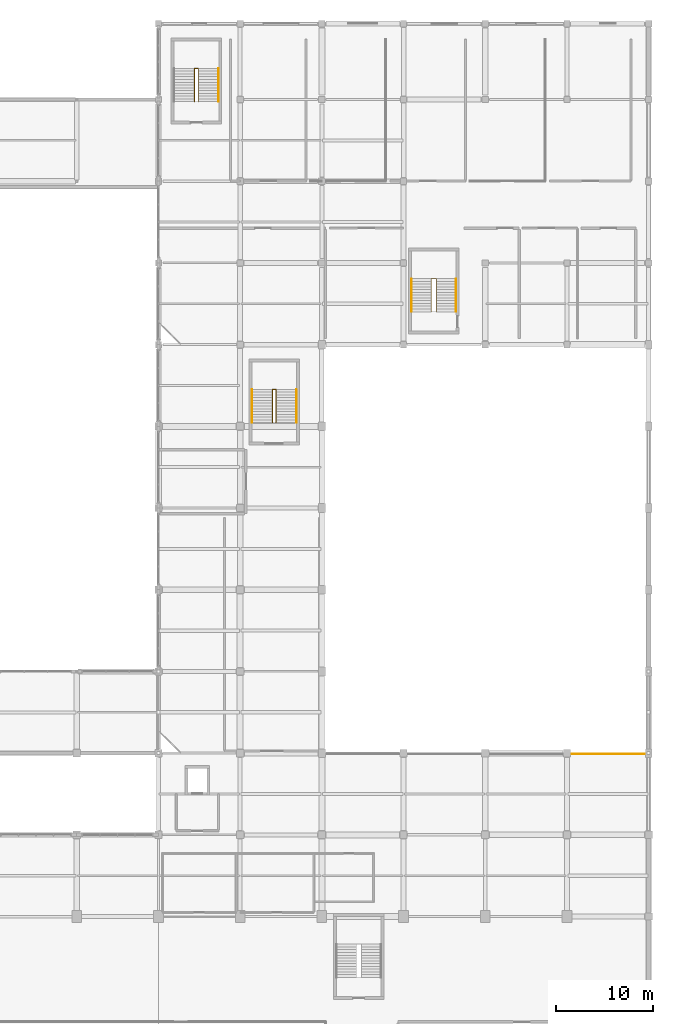
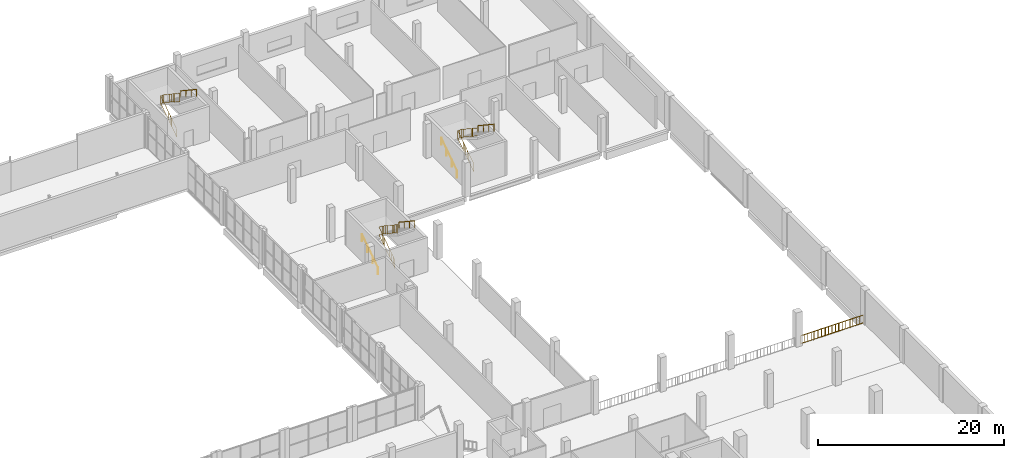
# One storey, part 75 of 75: 9 railings.
"""IFC4 building model written with IfcOpenShell, lengths in metres."""

from ifc_helpers import new_model, si_unit, derived_unit, direction, frame, origin, origin_2d, place, context, subcontext, project, spatial, circle, extrude, material, layer, layer_set, type_object, element, save


model = new_model("IFC4")

# Units and contexts
model_context = context("Model", 3, precision=1e-05, world=origin(), true_north=direction((0.0, 1.0)))
body_context = subcontext(model_context, "Body", "Model", "MODEL_VIEW")
ifc_project = project(units=[si_unit("LENGTHUNIT", "METRE"), si_unit("AREAUNIT", "SQUARE_METRE"), si_unit("VOLUMEUNIT", "CUBIC_METRE"), si_unit("PLANEANGLEUNIT", "RADIAN"), si_unit("MASSUNIT", "GRAM", prefix="KILO"), derived_unit("THERMALTRANSMITTANCEUNIT", [(si_unit("POWERUNIT", "WATT"), 1), (si_unit("LENGTHUNIT", "METRE"), -2), (si_unit("THERMODYNAMICTEMPERATUREUNIT", "KELVIN"), -1)])], contexts=[model_context])

# Site, building, storey
site_placement = place(None, origin())
site = spatial("IfcSite", under=ifc_project, at=site_placement, CompositionType="ELEMENT")
building_placement = place(site_placement, origin())
building = spatial("IfcBuilding", under=site, at=building_placement, Name="Barrovel Congress Hotel", CompositionType="ELEMENT")
storey_placement = place(building_placement, frame((0.0, 0.0, 5.39990234375)))
storey = spatial("IfcBuildingStorey", under=building, at=storey_placement, Name="L01", CompositionType="ELEMENT", Elevation=5.39990234375)

# Railings
ifc_material_1 = material(Name="Painted Architectural Steel", Category="steel")
ifc_layer_1 = layer(ifc_material_1, 0.070068359375)
ifc_layer_set_1 = layer_set([ifc_layer_1], Name="Painted Architectural Steel")
railing_type_1 = type_object("IfcRailingType", Name="RAIL-GUARD-INT", PredefinedType="BALUSTRADE", material=ifc_layer_set_1)
railing_1_placement = place(storey_placement, frame((154.06005859375, 83.179931640625, 0.0)))
element("IfcRailing", 1, at=railing_1_placement, inside=storey, type_object=railing_type_1, Name="STAIR:XS-06:L01:GR-W", PredefinedType="BALUSTRADE", context=body_context, shape_type="SweptSolid", body=[
    extrude(circle(Radius=0.02392578125, at=origin_2d()), frame((0.0, 0.0, 1.11572265625), z_axis=(0.0, 0.833193183746, 0.552982023722), x_axis=(-1.0, 0.0, 0.0)), (0.0, 0.0, 1.0), 4.06884765625),
    extrude(circle(Radius=0.02392578125, at=origin_2d()), frame((0.0, 0.0, 0.10009765625), z_axis=(0.0, 0.833193183746, 0.552982023722), x_axis=(-1.0, 0.0, 0.0)), (0.0, 0.0, 1.0), 4.06884765625),
    extrude(circle(Radius=0.010009765625, at=origin_2d()), frame((0.0, 0.339111328125, 0.324951171875)), (0.0, 0.0, 1.0), 0.99169921875),
    extrude(circle(Radius=0.010009765625, at=origin_2d()), frame((0.0, 0.677978515625, 0.550048828125)), (0.0, 0.0, 1.0), 0.99169921875),
    extrude(circle(Radius=0.010009765625, at=origin_2d()), frame((0.0, 1.01708984375, 0.77490234375)), (0.0, 0.0, 1.0), 0.99169921875),
    extrude(circle(Radius=0.010009765625, at=origin_2d()), frame((0.0, 1.35595703125, 1.0)), (0.0, 0.0, 1.0), 0.99169921875),
    extrude(circle(Radius=0.010009765625, at=origin_2d()), frame((0.0, 1.695068359375, 1.22509765625)), (0.0, 0.0, 1.0), 0.99169921875),
    extrude(circle(Radius=0.010009765625, at=origin_2d()), frame((0.0, 2.0341796875, 1.449951171875)), (0.0, 0.0, 1.0), 0.99169921875),
    extrude(circle(Radius=0.010009765625, at=origin_2d()), frame((0.0, 2.373046875, 1.675048828125)), (0.0, 0.0, 1.0), 0.99169921875),
    extrude(circle(Radius=0.010009765625, at=origin_2d()), frame((0.0, 2.712158203125, 1.89990234375)), (0.0, 0.0, 1.0), 0.99169921875),
    extrude(circle(Radius=0.010009765625, at=origin_2d()), frame((0.0, 3.051025390625, 2.125)), (0.0, 0.0, 1.0), 0.99169921875),
    extrude(circle(Radius=0.02392578125, at=origin_2d()), frame((0.0, 3.39013671875, 3.36572265625), z_axis=(1.0, 0.0, 0.0), x_axis=(0.0, 1.0, 0.0)), (0.0, 0.0, 1.0), 0.47998046875),
    extrude(circle(Radius=0.02392578125, at=origin_2d()), frame((0.0, 3.39013671875, 2.35009765625), z_axis=(1.0, 0.0, 0.0), x_axis=(0.0, 1.0, 0.0)), (0.0, 0.0, 1.0), 0.47998046875),
    extrude(circle(Radius=0.010009765625, at=origin_2d()), frame((0.239990234375, 3.39013671875, 2.35009765625)), (0.0, 0.0, 1.0), 0.99169921875),
    extrude(circle(Radius=0.02392578125, at=origin_2d()), frame((0.47998046875, 3.39013671875, 3.36572265625), z_axis=(0.0, -0.833193183746, 0.552982023722), x_axis=(1.0, 0.0, 0.0)), (0.0, 0.0, 1.0), 4.06884765625),
    extrude(circle(Radius=0.02392578125, at=origin_2d()), frame((0.47998046875, 3.39013671875, 2.35009765625), z_axis=(0.0, -0.833193183746, 0.552982023722), x_axis=(1.0, 0.0, 0.0)), (0.0, 0.0, 1.0), 4.06884765625),
    extrude(circle(Radius=0.010009765625, at=origin_2d()), frame((0.47998046875, 3.051025390625, 2.574951171875)), (0.0, 0.0, 1.0), 0.99169921875),
    extrude(circle(Radius=0.010009765625, at=origin_2d()), frame((0.47998046875, 2.712158203125, 2.800048828125)), (0.0, 0.0, 1.0), 0.99169921875),
    extrude(circle(Radius=0.010009765625, at=origin_2d()), frame((0.47998046875, 2.373046875, 3.02490234375)), (0.0, 0.0, 1.0), 0.99169921875),
    extrude(circle(Radius=0.010009765625, at=origin_2d()), frame((0.47998046875, 2.0341796875, 3.25)), (0.0, 0.0, 1.0), 0.99169921875),
    extrude(circle(Radius=0.010009765625, at=origin_2d()), frame((0.47998046875, 1.695068359375, 3.47509765625)), (0.0, 0.0, 1.0), 0.99169921875),
    extrude(circle(Radius=0.010009765625, at=origin_2d()), frame((0.47998046875, 1.35595703125, 3.699951171875)), (0.0, 0.0, 1.0), 0.99169921875),
    extrude(circle(Radius=0.010009765625, at=origin_2d()), frame((0.47998046875, 1.01708984375, 3.925048828125)), (0.0, 0.0, 1.0), 0.99169921875),
    extrude(circle(Radius=0.010009765625, at=origin_2d()), frame((0.47998046875, 0.677978515625, 4.14990234375)), (0.0, 0.0, 1.0), 0.99169921875),
    extrude(circle(Radius=0.010009765625, at=origin_2d()), frame((0.47998046875, 0.339111328125, 4.375)), (0.0, 0.0, 1.0), 0.99169921875),
    extrude(circle(Radius=0.02099609375, at=origin_2d()), origin(), (0.0, 0.0, 1.0), 1.091796875),
    extrude(circle(Radius=0.02099609375, at=origin_2d()), frame((0.0, 1.130126953125, 0.75)), (0.0, 0.0, 1.0), 1.091796875),
    extrude(circle(Radius=0.02099609375, at=origin_2d()), frame((0.0, 2.260009765625, 1.5)), (0.0, 0.0, 1.0), 1.091796875),
    extrude(circle(Radius=0.02099609375, at=origin_2d()), frame((0.0, 3.39013671875, 2.25)), (0.0, 0.0, 1.0), 1.091796875),
    extrude(circle(Radius=0.02099609375, at=origin_2d()), frame((0.47998046875, 3.39013671875, 2.25)), (0.0, 0.0, 1.0), 1.091796875),
    extrude(circle(Radius=0.02099609375, at=origin_2d()), frame((0.47998046875, 2.260009765625, 3.0)), (0.0, 0.0, 1.0), 1.091796875),
    extrude(circle(Radius=0.02099609375, at=origin_2d()), frame((0.47998046875, 1.130126953125, 3.75)), (0.0, 0.0, 1.0), 1.091796875),
    extrude(circle(Radius=0.02099609375, at=origin_2d()), frame((0.47998046875, 0.0, 4.5)), (0.0, 0.0, 1.0), 1.091796875),
])
railing_2_placement = place(storey_placement, frame((137.7099609375, 71.780029296875, 0.0)))
element("IfcRailing", 2, at=railing_2_placement, inside=storey, type_object=railing_type_1, Name="STAIR:XS-09:L01:GR-W", PredefinedType="BALUSTRADE", context=body_context, shape_type="SweptSolid", body=[
    extrude(circle(Radius=0.02392578125, at=origin_2d()), frame((0.0, 0.0, 1.11572265625), z_axis=(0.0, 0.833174834292, 0.553009670352), x_axis=(-1.0, 0.0, 0.0)), (0.0, 0.0, 1.0), 4.068603515625),
    extrude(circle(Radius=0.02392578125, at=origin_2d()), frame((0.0, 0.0, 0.10009765625), z_axis=(0.0, 0.833174834292, 0.553009670352), x_axis=(-1.0, 0.0, 0.0)), (0.0, 0.0, 1.0), 4.068603515625),
    extrude(circle(Radius=0.010009765625, at=origin_2d()), frame((0.0, 0.3388671875, 0.324951171875)), (0.0, 0.0, 1.0), 0.99169921875),
    extrude(circle(Radius=0.010009765625, at=origin_2d()), frame((0.0, 0.677978515625, 0.550048828125)), (0.0, 0.0, 1.0), 0.99169921875),
    extrude(circle(Radius=0.010009765625, at=origin_2d()), frame((0.0, 1.01708984375, 0.77490234375)), (0.0, 0.0, 1.0), 0.99169921875),
    extrude(circle(Radius=0.010009765625, at=origin_2d()), frame((0.0, 1.35595703125, 1.0)), (0.0, 0.0, 1.0), 0.99169921875),
    extrude(circle(Radius=0.010009765625, at=origin_2d()), frame((0.0, 1.69482421875, 1.22509765625)), (0.0, 0.0, 1.0), 0.99169921875),
    extrude(circle(Radius=0.010009765625, at=origin_2d()), frame((0.0, 2.033935546875, 1.449951171875)), (0.0, 0.0, 1.0), 0.99169921875),
    extrude(circle(Radius=0.010009765625, at=origin_2d()), frame((0.0, 2.373046875, 1.675048828125)), (0.0, 0.0, 1.0), 0.99169921875),
    extrude(circle(Radius=0.010009765625, at=origin_2d()), frame((0.0, 2.7119140625, 1.89990234375)), (0.0, 0.0, 1.0), 0.99169921875),
    extrude(circle(Radius=0.010009765625, at=origin_2d()), frame((0.0, 3.05078125, 2.125)), (0.0, 0.0, 1.0), 0.99169921875),
    extrude(circle(Radius=0.02392578125, at=origin_2d()), frame((0.0, 3.389892578125, 3.36572265625), z_axis=(1.0, 0.0, 0.0), x_axis=(0.0, 1.0, 0.0)), (0.0, 0.0, 1.0), 0.380126953125),
    extrude(circle(Radius=0.02392578125, at=origin_2d()), frame((0.0, 3.389892578125, 2.35009765625), z_axis=(1.0, 0.0, 0.0), x_axis=(0.0, 1.0, 0.0)), (0.0, 0.0, 1.0), 0.380126953125),
    extrude(circle(Radius=0.010009765625, at=origin_2d()), frame((0.18994140625, 3.389892578125, 2.35009765625)), (0.0, 0.0, 1.0), 0.99169921875),
    extrude(circle(Radius=0.02392578125, at=origin_2d()), frame((0.380126953125, 3.389892578125, 3.36572265625), z_axis=(0.0, -0.833174834292, 0.553009670352), x_axis=(1.0, 0.0, 0.0)), (0.0, 0.0, 1.0), 4.068603515625),
    extrude(circle(Radius=0.02392578125, at=origin_2d()), frame((0.380126953125, 3.389892578125, 2.35009765625), z_axis=(0.0, -0.833174834292, 0.553009670352), x_axis=(1.0, 0.0, 0.0)), (0.0, 0.0, 1.0), 4.068603515625),
    extrude(circle(Radius=0.010009765625, at=origin_2d()), frame((0.380126953125, 3.05078125, 2.574951171875)), (0.0, 0.0, 1.0), 0.99169921875),
    extrude(circle(Radius=0.010009765625, at=origin_2d()), frame((0.380126953125, 2.7119140625, 2.800048828125)), (0.0, 0.0, 1.0), 0.99169921875),
    extrude(circle(Radius=0.010009765625, at=origin_2d()), frame((0.380126953125, 2.373046875, 3.02490234375)), (0.0, 0.0, 1.0), 0.99169921875),
    extrude(circle(Radius=0.010009765625, at=origin_2d()), frame((0.380126953125, 2.033935546875, 3.25)), (0.0, 0.0, 1.0), 0.99169921875),
    extrude(circle(Radius=0.010009765625, at=origin_2d()), frame((0.380126953125, 1.69482421875, 3.47509765625)), (0.0, 0.0, 1.0), 0.99169921875),
    extrude(circle(Radius=0.010009765625, at=origin_2d()), frame((0.380126953125, 1.35595703125, 3.699951171875)), (0.0, 0.0, 1.0), 0.99169921875),
    extrude(circle(Radius=0.010009765625, at=origin_2d()), frame((0.380126953125, 1.01708984375, 3.925048828125)), (0.0, 0.0, 1.0), 0.99169921875),
    extrude(circle(Radius=0.010009765625, at=origin_2d()), frame((0.380126953125, 0.677978515625, 4.14990234375)), (0.0, 0.0, 1.0), 0.99169921875),
    extrude(circle(Radius=0.010009765625, at=origin_2d()), frame((0.380126953125, 0.3388671875, 4.375)), (0.0, 0.0, 1.0), 0.99169921875),
    extrude(circle(Radius=0.02099609375, at=origin_2d()), origin(), (0.0, 0.0, 1.0), 1.091796875),
    extrude(circle(Radius=0.02099609375, at=origin_2d()), frame((0.0, 1.1298828125, 0.75)), (0.0, 0.0, 1.0), 1.091796875),
    extrude(circle(Radius=0.02099609375, at=origin_2d()), frame((0.0, 2.260009765625, 1.5)), (0.0, 0.0, 1.0), 1.091796875),
    extrude(circle(Radius=0.02099609375, at=origin_2d()), frame((0.0, 3.389892578125, 2.25)), (0.0, 0.0, 1.0), 1.091796875),
    extrude(circle(Radius=0.02099609375, at=origin_2d()), frame((0.380126953125, 3.389892578125, 2.25)), (0.0, 0.0, 1.0), 1.091796875),
    extrude(circle(Radius=0.02099609375, at=origin_2d()), frame((0.380126953125, 2.260009765625, 3.0)), (0.0, 0.0, 1.0), 1.091796875),
    extrude(circle(Radius=0.02099609375, at=origin_2d()), frame((0.380126953125, 1.1298828125, 3.75)), (0.0, 0.0, 1.0), 1.091796875),
    extrude(circle(Radius=0.02099609375, at=origin_2d()), frame((0.380126953125, 0.0, 4.5)), (0.0, 0.0, 1.0), 1.091796875),
])
railing_3_placement = place(storey_placement, frame((129.7099609375, 104.780029296875, 0.0)))
element("IfcRailing", 3, at=railing_3_placement, inside=storey, type_object=railing_type_1, Name="STAIR:XS-10:L01:GR-W", PredefinedType="BALUSTRADE", context=body_context, shape_type="SweptSolid", body=[
    extrude(circle(Radius=0.02392578125, at=origin_2d()), frame((0.0, 0.0, 1.11572265625), z_axis=(0.0, 0.833174834292, 0.553009670352), x_axis=(-1.0, 0.0, 0.0)), (0.0, 0.0, 1.0), 4.068603515625),
    extrude(circle(Radius=0.02392578125, at=origin_2d()), frame((0.0, 0.0, 0.10009765625), z_axis=(0.0, 0.833174834292, 0.553009670352), x_axis=(-1.0, 0.0, 0.0)), (0.0, 0.0, 1.0), 4.068603515625),
    extrude(circle(Radius=0.010009765625, at=origin_2d()), frame((0.0, 0.3388671875, 0.324951171875)), (0.0, 0.0, 1.0), 0.99169921875),
    extrude(circle(Radius=0.010009765625, at=origin_2d()), frame((0.0, 0.677978515625, 0.550048828125)), (0.0, 0.0, 1.0), 0.99169921875),
    extrude(circle(Radius=0.010009765625, at=origin_2d()), frame((0.0, 1.01708984375, 0.77490234375)), (0.0, 0.0, 1.0), 0.99169921875),
    extrude(circle(Radius=0.010009765625, at=origin_2d()), frame((0.0, 1.35595703125, 1.0)), (0.0, 0.0, 1.0), 0.99169921875),
    extrude(circle(Radius=0.010009765625, at=origin_2d()), frame((0.0, 1.69482421875, 1.22509765625)), (0.0, 0.0, 1.0), 0.99169921875),
    extrude(circle(Radius=0.010009765625, at=origin_2d()), frame((0.0, 2.033935546875, 1.449951171875)), (0.0, 0.0, 1.0), 0.99169921875),
    extrude(circle(Radius=0.010009765625, at=origin_2d()), frame((0.0, 2.373046875, 1.675048828125)), (0.0, 0.0, 1.0), 0.99169921875),
    extrude(circle(Radius=0.010009765625, at=origin_2d()), frame((0.0, 2.7119140625, 1.89990234375)), (0.0, 0.0, 1.0), 0.99169921875),
    extrude(circle(Radius=0.010009765625, at=origin_2d()), frame((0.0, 3.05078125, 2.125)), (0.0, 0.0, 1.0), 0.99169921875),
    extrude(circle(Radius=0.02392578125, at=origin_2d()), frame((0.0, 3.389892578125, 3.36572265625), z_axis=(1.0, 0.0, 0.0), x_axis=(0.0, 1.0, 0.0)), (0.0, 0.0, 1.0), 0.380126953125),
    extrude(circle(Radius=0.02392578125, at=origin_2d()), frame((0.0, 3.389892578125, 2.35009765625), z_axis=(1.0, 0.0, 0.0), x_axis=(0.0, 1.0, 0.0)), (0.0, 0.0, 1.0), 0.380126953125),
    extrude(circle(Radius=0.010009765625, at=origin_2d()), frame((0.18994140625, 3.389892578125, 2.35009765625)), (0.0, 0.0, 1.0), 0.99169921875),
    extrude(circle(Radius=0.02392578125, at=origin_2d()), frame((0.380126953125, 3.389892578125, 3.36572265625), z_axis=(0.0, -0.833174834292, 0.553009670352), x_axis=(1.0, 0.0, 0.0)), (0.0, 0.0, 1.0), 4.068603515625),
    extrude(circle(Radius=0.02392578125, at=origin_2d()), frame((0.380126953125, 3.389892578125, 2.35009765625), z_axis=(0.0, -0.833174834292, 0.553009670352), x_axis=(1.0, 0.0, 0.0)), (0.0, 0.0, 1.0), 4.068603515625),
    extrude(circle(Radius=0.010009765625, at=origin_2d()), frame((0.380126953125, 3.05078125, 2.574951171875)), (0.0, 0.0, 1.0), 0.99169921875),
    extrude(circle(Radius=0.010009765625, at=origin_2d()), frame((0.380126953125, 2.7119140625, 2.800048828125)), (0.0, 0.0, 1.0), 0.99169921875),
    extrude(circle(Radius=0.010009765625, at=origin_2d()), frame((0.380126953125, 2.373046875, 3.02490234375)), (0.0, 0.0, 1.0), 0.99169921875),
    extrude(circle(Radius=0.010009765625, at=origin_2d()), frame((0.380126953125, 2.033935546875, 3.25)), (0.0, 0.0, 1.0), 0.99169921875),
    extrude(circle(Radius=0.010009765625, at=origin_2d()), frame((0.380126953125, 1.69482421875, 3.47509765625)), (0.0, 0.0, 1.0), 0.99169921875),
    extrude(circle(Radius=0.010009765625, at=origin_2d()), frame((0.380126953125, 1.35595703125, 3.699951171875)), (0.0, 0.0, 1.0), 0.99169921875),
    extrude(circle(Radius=0.010009765625, at=origin_2d()), frame((0.380126953125, 1.01708984375, 3.925048828125)), (0.0, 0.0, 1.0), 0.99169921875),
    extrude(circle(Radius=0.010009765625, at=origin_2d()), frame((0.380126953125, 0.677978515625, 4.14990234375)), (0.0, 0.0, 1.0), 0.99169921875),
    extrude(circle(Radius=0.010009765625, at=origin_2d()), frame((0.380126953125, 0.3388671875, 4.375)), (0.0, 0.0, 1.0), 0.99169921875),
    extrude(circle(Radius=0.02099609375, at=origin_2d()), origin(), (0.0, 0.0, 1.0), 1.091796875),
    extrude(circle(Radius=0.02099609375, at=origin_2d()), frame((0.0, 1.1298828125, 0.75)), (0.0, 0.0, 1.0), 1.091796875),
    extrude(circle(Radius=0.02099609375, at=origin_2d()), frame((0.0, 2.260009765625, 1.5)), (0.0, 0.0, 1.0), 1.091796875),
    extrude(circle(Radius=0.02099609375, at=origin_2d()), frame((0.0, 3.389892578125, 2.25)), (0.0, 0.0, 1.0), 1.091796875),
    extrude(circle(Radius=0.02099609375, at=origin_2d()), frame((0.380126953125, 3.389892578125, 2.25)), (0.0, 0.0, 1.0), 1.091796875),
    extrude(circle(Radius=0.02099609375, at=origin_2d()), frame((0.380126953125, 2.260009765625, 3.0)), (0.0, 0.0, 1.0), 1.091796875),
    extrude(circle(Radius=0.02099609375, at=origin_2d()), frame((0.380126953125, 1.1298828125, 3.75)), (0.0, 0.0, 1.0), 1.091796875),
    extrude(circle(Radius=0.02099609375, at=origin_2d()), frame((0.380126953125, 0.0, 4.5)), (0.0, 0.0, 1.0), 1.091796875),
])
railing_4_placement = place(storey_placement, frame((168.35009765625, 37.719970703125, 0.0)))
element("IfcRailing", 4, at=railing_4_placement, inside=storey, type_object=railing_type_1, Name="RAIL:L01:V45-4", PredefinedType="BALUSTRADE", context=body_context, shape_type="SweptSolid", body=[
    extrude(circle(Radius=0.02392578125, at=origin_2d()), frame((0.0, 0.0, 1.11572265625), z_axis=(1.0, 0.0, 0.0), x_axis=(0.0, 1.0, 0.0)), (0.0, 0.0, 1.0), 7.75),
    extrude(circle(Radius=0.02392578125, at=origin_2d()), frame((0.0, 0.0, 0.10009765625), z_axis=(1.0, 0.0, 0.0), x_axis=(0.0, 1.0, 0.0)), (0.0, 0.0, 1.0), 7.75),
    extrude(circle(Radius=0.010009765625, at=origin_2d()), frame((0.4306640625, 0.0, 0.10009765625)), (0.0, 0.0, 1.0), 0.99169921875),
    extrude(circle(Radius=0.010009765625, at=origin_2d()), frame((0.861083984375, 0.0, 0.10009765625)), (0.0, 0.0, 1.0), 0.99169921875),
    extrude(circle(Radius=0.010009765625, at=origin_2d()), frame((1.291748046875, 0.0, 0.10009765625)), (0.0, 0.0, 1.0), 0.99169921875),
    extrude(circle(Radius=0.010009765625, at=origin_2d()), frame((1.72216796875, 0.0, 0.10009765625)), (0.0, 0.0, 1.0), 0.99169921875),
    extrude(circle(Radius=0.010009765625, at=origin_2d()), frame((2.15283203125, 0.0, 0.10009765625)), (0.0, 0.0, 1.0), 0.99169921875),
    extrude(circle(Radius=0.010009765625, at=origin_2d()), frame((2.583251953125, 0.0, 0.10009765625)), (0.0, 0.0, 1.0), 0.99169921875),
    extrude(circle(Radius=0.010009765625, at=origin_2d()), frame((3.013916015625, 0.0, 0.10009765625)), (0.0, 0.0, 1.0), 0.99169921875),
    extrude(circle(Radius=0.010009765625, at=origin_2d()), frame((3.4443359375, 0.0, 0.10009765625)), (0.0, 0.0, 1.0), 0.99169921875),
    extrude(circle(Radius=0.010009765625, at=origin_2d()), frame((3.875, 0.0, 0.10009765625)), (0.0, 0.0, 1.0), 0.99169921875),
    extrude(circle(Radius=0.010009765625, at=origin_2d()), frame((4.3056640625, 0.0, 0.10009765625)), (0.0, 0.0, 1.0), 0.99169921875),
    extrude(circle(Radius=0.010009765625, at=origin_2d()), frame((4.736083984375, 0.0, 0.10009765625)), (0.0, 0.0, 1.0), 0.99169921875),
    extrude(circle(Radius=0.010009765625, at=origin_2d()), frame((5.166748046875, 0.0, 0.10009765625)), (0.0, 0.0, 1.0), 0.99169921875),
    extrude(circle(Radius=0.010009765625, at=origin_2d()), frame((5.59716796875, 0.0, 0.10009765625)), (0.0, 0.0, 1.0), 0.99169921875),
    extrude(circle(Radius=0.010009765625, at=origin_2d()), frame((6.02783203125, 0.0, 0.10009765625)), (0.0, 0.0, 1.0), 0.99169921875),
    extrude(circle(Radius=0.010009765625, at=origin_2d()), frame((6.458251953125, 0.0, 0.10009765625)), (0.0, 0.0, 1.0), 0.99169921875),
    extrude(circle(Radius=0.010009765625, at=origin_2d()), frame((6.888916015625, 0.0, 0.10009765625)), (0.0, 0.0, 1.0), 0.99169921875),
    extrude(circle(Radius=0.010009765625, at=origin_2d()), frame((7.3193359375, 0.0, 0.10009765625)), (0.0, 0.0, 1.0), 0.99169921875),
    extrude(circle(Radius=0.02099609375, at=origin_2d()), origin(), (0.0, 0.0, 1.0), 1.091796875),
    extrude(circle(Radius=0.02099609375, at=origin_2d()), frame((1.550048828125, 0.0, 0.0)), (0.0, 0.0, 1.0), 1.091796875),
    extrude(circle(Radius=0.02099609375, at=origin_2d()), frame((3.10009765625, 0.0, 0.0)), (0.0, 0.0, 1.0), 1.091796875),
    extrude(circle(Radius=0.02099609375, at=origin_2d()), frame((4.64990234375, 0.0, 0.0)), (0.0, 0.0, 1.0), 1.091796875),
    extrude(circle(Radius=0.02099609375, at=origin_2d()), frame((6.199951171875, 0.0, 0.0)), (0.0, 0.0, 1.0), 1.091796875),
    extrude(circle(Radius=0.02099609375, at=origin_2d()), frame((7.75, 0.0, 0.0)), (0.0, 0.0, 1.0), 1.091796875),
])
ifc_material_2 = material(Name="Brushed Stainless Steel", Category="steel")
ifc_layer_2 = layer(ifc_material_2, 0.050048828125)
ifc_layer_set_2 = layer_set([ifc_layer_2], Name="Brushed Stainless Steel")
railing_type_2 = type_object("IfcRailingType", Name="RAIL-HAND", PredefinedType="HANDRAIL", material=ifc_layer_set_2)
railing_5_placement = place(storey_placement, frame((152.02001953125, 83.179931640625, 0.0)))
element("IfcRailing", 5, at=railing_5_placement, inside=storey, type_object=railing_type_2, Name="STAIR:XS-06:L01:HR-1", PredefinedType="HANDRAIL", context=body_context, shape_type="SweptSolid", body=[
    extrude(circle(Radius=0.02392578125, at=origin_2d()), frame((0.0, 0.0, 0.89599609375), z_axis=(0.0, 0.833193183746, 0.552982023722), x_axis=(-1.0, 0.0, 0.0)), (0.0, 0.0, 1.0), 4.06884765625),
    extrude(circle(Radius=0.02099609375, at=origin_2d()), origin(), (0.0, 0.0, 1.0), 0.871826171875),
    extrude(circle(Radius=0.02099609375, at=origin_2d()), frame((0.0, 1.130126953125, 0.75)), (0.0, 0.0, 1.0), 0.871826171875),
    extrude(circle(Radius=0.02099609375, at=origin_2d()), frame((0.0, 2.260009765625, 1.5)), (0.0, 0.0, 1.0), 0.871826171875),
    extrude(circle(Radius=0.02099609375, at=origin_2d()), frame((0.0, 3.39013671875, 2.25)), (0.0, 0.0, 1.0), 0.871826171875),
])
railing_6_placement = place(storey_placement, frame((156.580078125, 86.570068359375, 2.25)))
element("IfcRailing", 6, at=railing_6_placement, inside=storey, type_object=railing_type_2, Name="STAIR:XS-06:L01:HR-2", PredefinedType="HANDRAIL", context=body_context, shape_type="SweptSolid", body=[
    extrude(circle(Radius=0.02392578125, at=origin_2d()), frame((0.0, 0.0, 0.89599609375), z_axis=(0.0, -0.833193183746, 0.552982023722), x_axis=(1.0, 0.0, 0.0)), (0.0, 0.0, 1.0), 4.06884765625),
    extrude(circle(Radius=0.02099609375, at=origin_2d()), origin(), (0.0, 0.0, 1.0), 0.871826171875),
    extrude(circle(Radius=0.02099609375, at=origin_2d()), frame((0.0, -1.130126953125, 0.75)), (0.0, 0.0, 1.0), 0.871826171875),
    extrude(circle(Radius=0.02099609375, at=origin_2d()), frame((0.0, -2.260009765625, 1.5)), (0.0, 0.0, 1.0), 0.871826171875),
    extrude(circle(Radius=0.02099609375, at=origin_2d()), frame((0.0, -3.39013671875, 2.25)), (0.0, 0.0, 1.0), 0.871826171875),
])
railing_7_placement = place(storey_placement, frame((135.6201171875, 71.780029296875, 0.0)))
element("IfcRailing", 7, at=railing_7_placement, inside=storey, type_object=railing_type_2, Name="STAIR:XS-09:L01:HR-1", PredefinedType="HANDRAIL", context=body_context, shape_type="SweptSolid", body=[
    extrude(circle(Radius=0.02392578125, at=origin_2d()), frame((0.0, 0.0, 0.89599609375), z_axis=(0.0, 0.833174834292, 0.553009670352), x_axis=(-1.0, 0.0, 0.0)), (0.0, 0.0, 1.0), 4.068603515625),
    extrude(circle(Radius=0.02099609375, at=origin_2d()), origin(), (0.0, 0.0, 1.0), 0.871826171875),
    extrude(circle(Radius=0.02099609375, at=origin_2d()), frame((0.0, 1.1298828125, 0.75)), (0.0, 0.0, 1.0), 0.871826171875),
    extrude(circle(Radius=0.02099609375, at=origin_2d()), frame((0.0, 2.260009765625, 1.5)), (0.0, 0.0, 1.0), 0.871826171875),
    extrude(circle(Radius=0.02099609375, at=origin_2d()), frame((0.0, 3.389892578125, 2.25)), (0.0, 0.0, 1.0), 0.871826171875),
])
for number, where, name in (
    (8, (140.179931640625, 75.169921875, 2.25), "STAIR:XS-09:L01:HR-2"),
    (9, (132.179931640625, 108.169921875, 2.25), "STAIR:XS-10:L01:HR-2"),
):
    element("IfcRailing", number, at=place(storey_placement, frame(where)), inside=storey, type_object=railing_type_2, Name=name, PredefinedType="HANDRAIL", context=body_context, shape_type="SweptSolid", body=[
        extrude(circle(Radius=0.02392578125, at=origin_2d()), frame((0.0, 0.0, 0.89599609375), z_axis=(0.0, -0.833174834292, 0.553009670352), x_axis=(1.0, 0.0, 0.0)), (0.0, 0.0, 1.0), 4.068603515625),
        extrude(circle(Radius=0.02099609375, at=origin_2d()), origin(), (0.0, 0.0, 1.0), 0.871826171875),
        extrude(circle(Radius=0.02099609375, at=origin_2d()), frame((0.0, -1.1298828125, 0.75)), (0.0, 0.0, 1.0), 0.871826171875),
        extrude(circle(Radius=0.02099609375, at=origin_2d()), frame((0.0, -2.260009765625, 1.5)), (0.0, 0.0, 1.0), 0.871826171875),
        extrude(circle(Radius=0.02099609375, at=origin_2d()), frame((0.0, -3.389892578125, 2.25)), (0.0, 0.0, 1.0), 0.871826171875),
    ])

save(model, "model.ifc")
